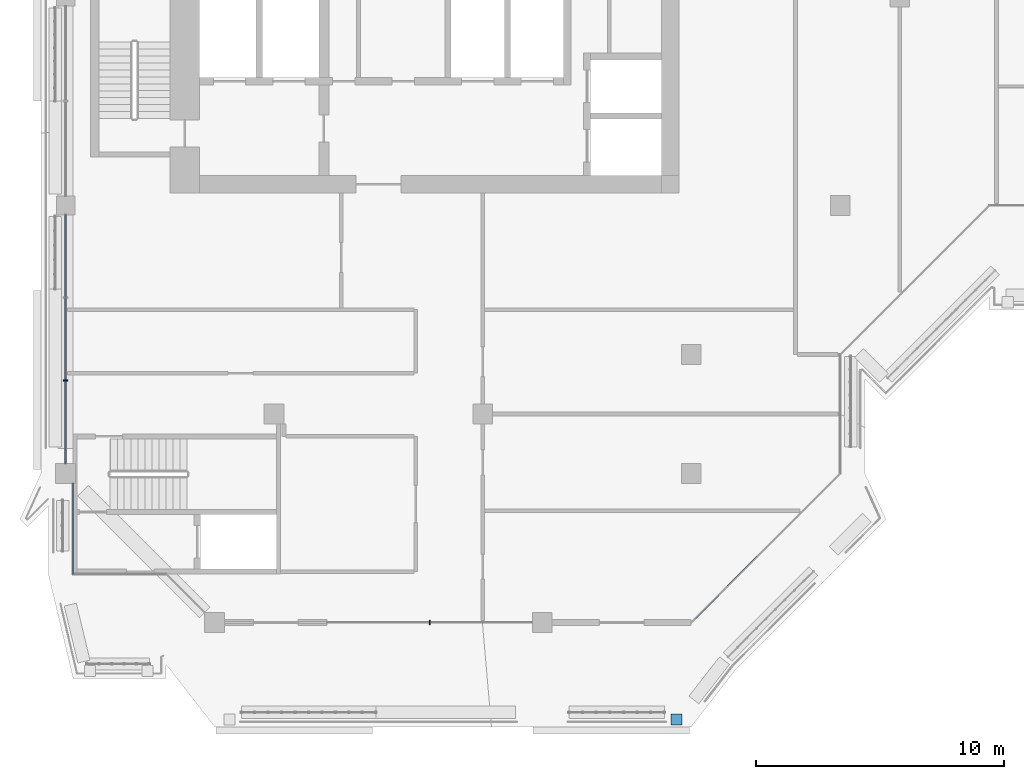
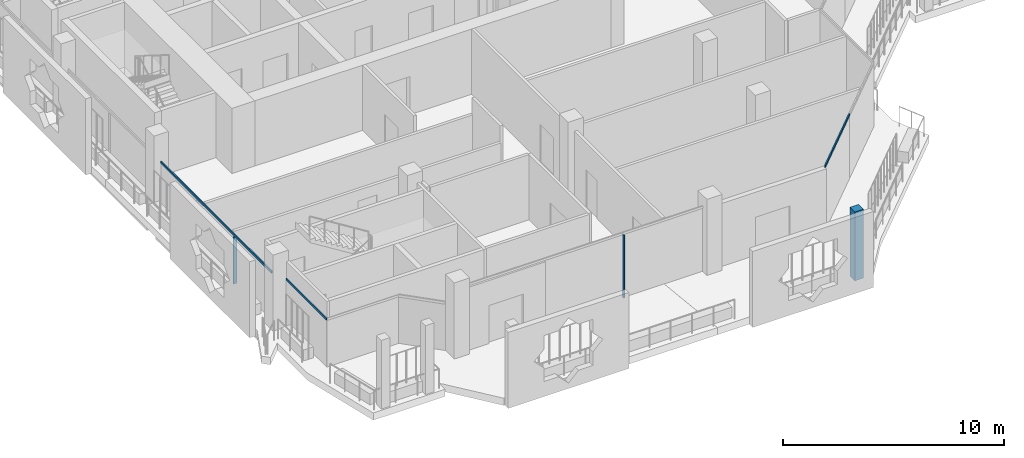
# One storey, part 2 of 22: 6 members, 5 elements without a shape of their own.
"""IFC4 building model written with IfcOpenShell, lengths in metres."""

from ifc_helpers import new_model, si_unit, direction, frame, origin, origin_2d, place, context, subcontext, project, spatial, rectangle, extrude, material, layer, layer_set, material_profile, profile_set, type_object, element, aggregate, save


model = new_model("IFC4")

# Units and contexts
model_context = context("Model", 3, precision=1e-05, world=origin(), true_north=direction((0.0, 1.0)))
body_context = subcontext(model_context, "Body", "Model", "MODEL_VIEW")
ifc_project = project(units=[si_unit("LENGTHUNIT", "METRE"), si_unit("AREAUNIT", "SQUARE_METRE"), si_unit("VOLUMEUNIT", "CUBIC_METRE"), si_unit("PLANEANGLEUNIT", "RADIAN"), si_unit("MASSUNIT", "GRAM", prefix="KILO")], contexts=[model_context])

# Site, building, storey
site_placement = place(None, origin())
site = spatial("IfcSite", under=ifc_project, at=site_placement, CompositionType="ELEMENT")
building_placement = place(site_placement, origin())
building = spatial("IfcBuilding", under=site, at=building_placement, Name="Kawkab Arch Medical Tower", CompositionType="ELEMENT")
storey_placement = place(building_placement, frame((0.0, 0.0, 298.60009765625)))
storey = spatial("IfcBuildingStorey", under=building, at=storey_placement, Name="L69", CompositionType="ELEMENT", Elevation=298.60009765625)

# Curtain wall, member
ifc_material_1 = material(Name="Bronze anodised aluminium curtain wall frame", Category="aluminium")
ifc_layer_1 = layer(ifc_material_1, 0.159912109375)
ifc_layer_set_1 = layer_set([ifc_layer_1], Name="Bronze anodised aluminium curtain wall frame")
curtain_wall_type_1 = type_object("IfcCurtainWallType", Name="CW1 ward curtain wall", PredefinedType="NOTDEFINED", material=ifc_layer_set_1)
placement = place(storey_placement, origin())
curtain_wall_1 = element("IfcCurtainWall", 1, at=placement, inside=storey, type_object=curtain_wall_type_1, Name="CW1 Ward curtain wall R02", PredefinedType="NOTDEFINED")
ifc_material_2 = material(Name="Bronze anodised aluminium curtain wall frame", Category="aluminium")
ifc_material_profile_1 = material_profile(ifc_material_2, rectangle(XDim=0.179931640625, YDim=0.06005859375, at=origin_2d()), Name="AL 60x180")
ifc_profile_set_1 = profile_set([ifc_material_profile_1], Name="Bronze anodised aluminium curtain wall frame")
member_type_1 = type_object("IfcMemberType", Name="CW1 mullion 60 x 180", PredefinedType="MULLION", material=ifc_profile_set_1)
member_1_placement = place(storey_placement, frame((0.0, -32.25830078125, 0.0), z_axis=(0.0, 0.0, 1.0), x_axis=(1.0, 0.0, 0.0)))
member_1 = element("IfcMember", 2, at=member_1_placement, type_object=member_type_1, Name="CW1 mullion 3.2", PredefinedType="MULLION", context=body_context, shape_type="SweptSolid", body=[
    extrude(rectangle(XDim=0.179931640625, YDim=0.06005859375, at=origin_2d()), origin(), (0.0, 0.0, 1.0), 2.579833984375),
])

curtain_wall_2 = element("IfcCurtainWall", 3, at=placement, inside=storey, type_object=curtain_wall_type_1, Name="CW1 Ward curtain wall R07", PredefinedType="NOTDEFINED")
member_2_placement = place(storey_placement, frame((14.666748046875, -42.0, 0.0), z_axis=(0.0, 0.0, 1.0), x_axis=(0.0, 1.0, 0.0)))
member_2 = element("IfcMember", 4, at=member_2_placement, type_object=member_type_1, Name="CW1 mullion 1.2", PredefinedType="MULLION", context=body_context, shape_type="SweptSolid", body=[
    extrude(rectangle(XDim=0.179931640625, YDim=0.06005859375, at=origin_2d()), origin(), (0.0, 0.0, 1.0), 3.47998046875),
])
aggregate(curtain_wall_2, [member_2])

# Member
ifc_material_3 = material(Name="Bronze anodised aluminium curtain wall frame", Category="aluminium")
ifc_material_profile_2 = material_profile(ifc_material_3, rectangle(XDim=0.06005859375, YDim=0.1201171875, at=origin_2d()), Name="AL 60x120")
ifc_profile_set_2 = profile_set([ifc_material_profile_2], Name="Bronze anodised aluminium curtain wall frame")
member_type_2 = type_object("IfcMemberType", Name="CW1 transom 120 x 60", PredefinedType="USERDEFINED", material=ifc_profile_set_2)
member_3_placement = place(storey_placement, frame((0.0, -25.574951171875, 2.639892578125), z_axis=(0.0, -1.0, 0.0), x_axis=(1.0, 0.0, 0.0)))
member_3 = element("IfcMember", 5, at=member_3_placement, type_object=member_type_2, Name="CW1 transom 3", ObjectType="TRANSOM", PredefinedType="USERDEFINED", context=body_context, shape_type="SweptSolid", body=[
    extrude(rectangle(XDim=0.06005859375, YDim=0.1201171875, at=origin_2d()), origin(), (0.0, 0.0, 1.0), 10.025146484375),
])

aggregate(curtain_wall_1, [member_3, member_1])

# Curtain wall, member
curtain_wall_3 = element("IfcCurtainWall", 6, at=placement, inside=storey, type_object=curtain_wall_type_1, Name="CW1 Ward curtain wall R04", PredefinedType="NOTDEFINED")
member_4_placement = place(storey_placement, frame((0.300048828125, -36.39990234375, 2.639892578125), z_axis=(0.0, -1.0, 0.0), x_axis=(1.0, 0.0, 0.0)))
member_4 = element("IfcMember", 7, at=member_4_placement, type_object=member_type_2, Name="CW1 transom 1", ObjectType="TRANSOM", PredefinedType="USERDEFINED", context=body_context, shape_type="SweptSolid", body=[
    extrude(rectangle(XDim=0.06005859375, YDim=0.1201171875, at=origin_2d()), origin(), (0.0, 0.0, 1.0), 3.650146484375),
])
aggregate(curtain_wall_3, [member_4])

ifc_material_4 = material(Name="Bronze anodised aluminium curtain wall frame", Category="aluminium")
ifc_layer_2 = layer(ifc_material_4, 0.159912109375)
ifc_layer_set_2 = layer_set([ifc_layer_2], Name="Bronze anodised aluminium curtain wall frame")
curtain_wall_type_2 = type_object("IfcCurtainWallType", Name="CW2 chamfer curtain wall", PredefinedType="NOTDEFINED", material=ifc_layer_set_2)
curtain_wall_4 = element("IfcCurtainWall", 8, at=placement, inside=storey, type_object=curtain_wall_type_2, Name="CW2 Chamfer curtain wall R08", PredefinedType="NOTDEFINED")
ifc_material_5 = material(Name="Bronze anodised aluminium curtain wall frame", Category="aluminium")
ifc_material_profile_3 = material_profile(ifc_material_5, rectangle(XDim=0.06005859375, YDim=0.139892578125, at=origin_2d()), Name="AL 60x140")
ifc_profile_set_3 = profile_set([ifc_material_profile_3], Name="Bronze anodised aluminium curtain wall frame")
member_type_3 = type_object("IfcMemberType", Name="CW2 transom 140 x 60", PredefinedType="USERDEFINED", material=ifc_profile_set_3)
member_5_placement = place(storey_placement, frame((25.199951171875, -42.0, 3.52978515625), z_axis=(0.707106781187, 0.707106781187, 0.0), x_axis=(-0.707106781187, 0.707106781187, 0.0)))
member_5 = element("IfcMember", 9, at=member_5_placement, type_object=member_type_3, Name="CW2 transom 1", ObjectType="TRANSOM", PredefinedType="USERDEFINED", context=body_context, shape_type="SweptSolid", body=[
    extrude(rectangle(XDim=0.06005859375, YDim=0.139892578125, at=origin_2d()), origin(), (0.0, 0.0, 1.0), 4.24267578125),
])
aggregate(curtain_wall_4, [member_5])

ifc_material_6 = material(Name="Bronze anodised aluminium climber frame, planted", Category="aluminium")
ifc_layer_3 = layer(ifc_material_6, 0.449951171875)
ifc_layer_set_3 = layer_set([ifc_layer_3], Name="Bronze anodised aluminium climber frame, planted")
curtain_wall_type_3 = type_object("IfcCurtainWallType", Name="Planted climber frame", PredefinedType="NOTDEFINED", material=ifc_layer_set_3)
curtain_wall_5 = element("IfcCurtainWall", 10, at=placement, inside=storey, type_object=curtain_wall_type_3, Name="Planted climber frame L69", PredefinedType="NOTDEFINED")
ifc_material_7 = material(Name="Bronze anodised aluminium climber frame, planted", Category="aluminium")
ifc_material_profile_4 = material_profile(ifc_material_7, rectangle(XDim=0.449951171875, YDim=0.449951171875, at=origin_2d()), Name="Post 450x450")
ifc_profile_set_4 = profile_set([ifc_material_profile_4], Name="Bronze anodised aluminium climber frame, planted")
member_type_4 = type_object("IfcMemberType", Name="Planted climber post 450 x 450", PredefinedType="MULLION", material=ifc_profile_set_4)
member_6_placement = place(storey_placement, frame((24.60302734375, -45.89990234375, 0.0), z_axis=(0.0, 0.0, 1.0), x_axis=(1.0, 0.0, 0.0)))
member_6 = element("IfcMember", 11, at=member_6_placement, type_object=member_type_4, Name="Planted climber post L69.LOG-01-01.7", PredefinedType="MULLION", context=body_context, shape_type="SweptSolid", body=[
    extrude(rectangle(XDim=0.449951171875, YDim=0.449951171875, at=origin_2d()), origin(), (0.0, 0.0, 1.0), 3.7998046875),
])
aggregate(curtain_wall_5, [member_6])

save(model, "model.ifc")
